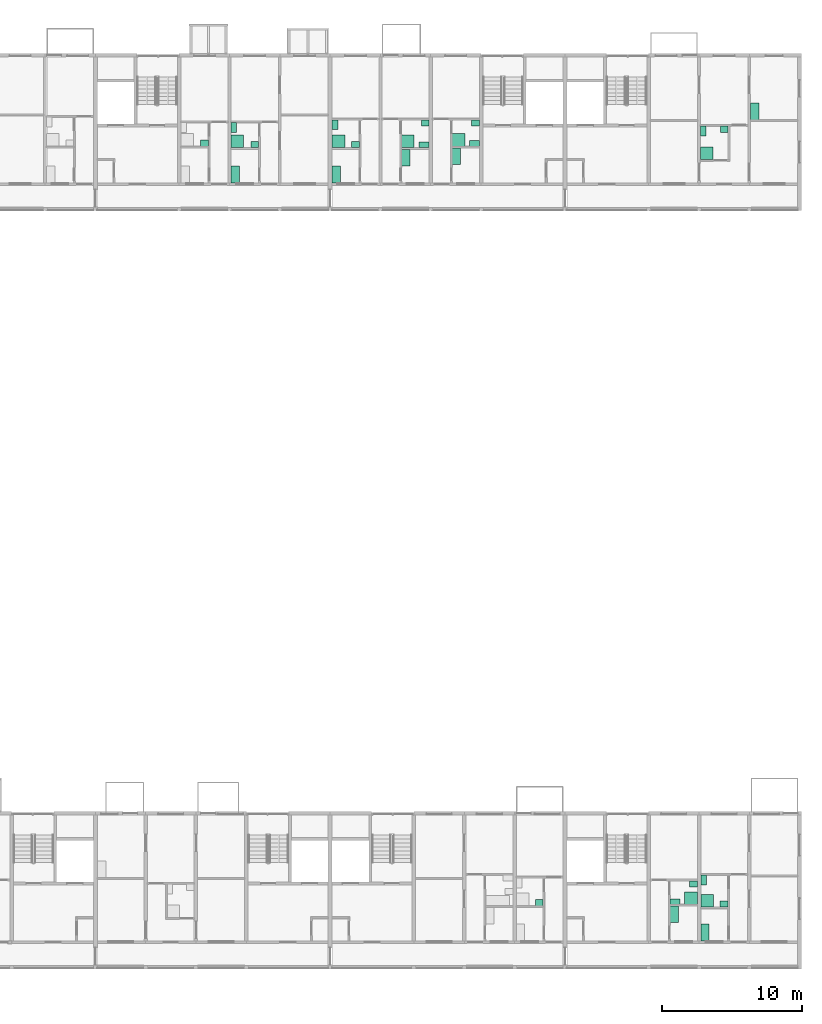
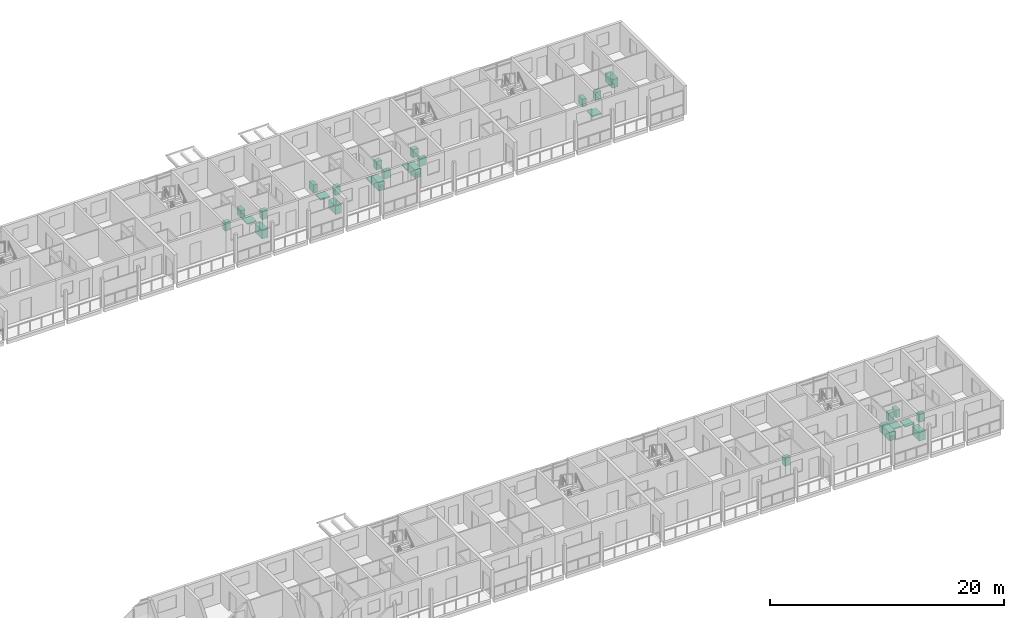
# One storey, part 100 of 100: 30 sanitary terminals.
"""IFC4 building model written with IfcOpenShell, lengths in metres."""

from ifc_helpers import new_model, si_unit, direction, frame, origin, origin_2d, place, context, subcontext, project, spatial, rectangle, extrude, element, save


model = new_model("IFC4")

# Units and contexts
model_context = context("Model", 3, precision=1e-05, world=origin(), true_north=direction((0.0, 1.0)))
body_context = subcontext(model_context, "Body", "Model", "MODEL_VIEW")
ifc_project = project(units=[si_unit("LENGTHUNIT", "METRE"), si_unit("AREAUNIT", "SQUARE_METRE"), si_unit("VOLUMEUNIT", "CUBIC_METRE"), si_unit("PLANEANGLEUNIT", "RADIAN"), si_unit("MASSUNIT", "GRAM", prefix="KILO")], contexts=[model_context])

# Site, building, storey
site_placement = place(None, origin())
site = spatial("IfcSite", under=ifc_project, at=site_placement, CompositionType="ELEMENT")
building_placement = place(site_placement, origin())
building = spatial("IfcBuilding", under=site, at=building_placement, Name="Ridgestep Commons", CompositionType="ELEMENT")
storey_placement = place(building_placement, frame((0.0, 0.0, 9.0)))
storey = spatial("IfcBuildingStorey", under=building, at=storey_placement, Name="L03", CompositionType="ELEMENT", Elevation=9.0)

# Sanitary terminals
sanitary_terminal_1_placement = place(storey_placement, frame((207.35009765625, 70.9599609375, 0.0), z_axis=(0.0, 0.0, 1.0), x_axis=(1.0, 0.0, 0.0)))
element("IfcSanitaryTerminal", 1, at=sanitary_terminal_1_placement, inside=storey, Name="Shower tray C4-03a", PredefinedType="SHOWER", context=body_context, shape_type="SweptSolid", body=[
    extrude(rectangle(XDim=0.89990234375, YDim=0.89990234375, at=origin_2d()), origin(), (0.0, 0.0, 1.0), 0.10009765625),
])
sanitary_terminal_2_placement = place(storey_placement, frame((207.10009765625, 71.949951171875, 0.0), z_axis=(0.0, 0.0, 1.0), x_axis=(1.0, 0.0, 0.0)))
element("IfcSanitaryTerminal", 2, at=sanitary_terminal_2_placement, inside=storey, Name="WC C4-03a", PredefinedType="TOILETPAN", context=body_context, shape_type="SweptSolid", body=[
    extrude(rectangle(XDim=0.39990234375, YDim=0.699951171875, at=origin_2d()), origin(), (0.0, 0.0, 1.0), 0.800048828125),
])
sanitary_terminal_3_placement = place(storey_placement, frame((208.614990234375, 70.735107421875, 0.0), z_axis=(0.0, 0.0, 1.0), x_axis=(1.0, 0.0, 0.0)))
element("IfcSanitaryTerminal", 3, at=sanitary_terminal_3_placement, inside=storey, Name="Basin C4-03a", PredefinedType="WASHHANDBASIN", context=body_context, shape_type="SweptSolid", body=[
    extrude(rectangle(XDim=0.550048828125, YDim=0.449951171875, at=origin_2d()), origin(), (0.0, 0.0, 1.0), 0.85009765625),
])
sanitary_terminal_4_placement = place(storey_placement, frame((207.199951171875, 68.60009765625, 0.0), z_axis=(0.0, 0.0, 1.0), x_axis=(1.0, 0.0, 0.0)))
element("IfcSanitaryTerminal", 4, at=sanitary_terminal_4_placement, inside=storey, Name="Kitchen sink C4-03a", PredefinedType="SINK", context=body_context, shape_type="SweptSolid", body=[
    extrude(rectangle(XDim=0.60009765625, YDim=1.199951171875, at=origin_2d()), origin(), (0.0, 0.0, 1.0), 0.89990234375),
])
sanitary_terminal_5_placement = place(storey_placement, frame((205.014892578125, 70.8349609375, 0.0), z_axis=(0.0, 0.0, 1.0), x_axis=(1.0, 0.0, 0.0)))
element("IfcSanitaryTerminal", 5, at=sanitary_terminal_5_placement, inside=storey, Name="Basin C4-03b", PredefinedType="WASHHANDBASIN", context=body_context, shape_type="SweptSolid", body=[
    extrude(rectangle(XDim=0.550048828125, YDim=0.449951171875, at=origin_2d()), origin(), (0.0, 0.0, 1.0), 0.85009765625),
])
sanitary_terminal_6_placement = place(storey_placement, frame((214.60009765625, 70.9599609375, 0.0), z_axis=(0.0, 0.0, 1.0), x_axis=(1.0, 0.0, 0.0)))
element("IfcSanitaryTerminal", 6, at=sanitary_terminal_6_placement, inside=storey, Name="Shower tray C5-03a", PredefinedType="SHOWER", context=body_context, shape_type="SweptSolid", body=[
    extrude(rectangle(XDim=0.89990234375, YDim=0.89990234375, at=origin_2d()), origin(), (0.0, 0.0, 1.0), 0.10009765625),
])
sanitary_terminal_7_placement = place(storey_placement, frame((214.35009765625, 72.14990234375, 0.0), z_axis=(0.0, 0.0, 1.0), x_axis=(1.0, 0.0, 0.0)))
element("IfcSanitaryTerminal", 7, at=sanitary_terminal_7_placement, inside=storey, Name="WC C5-03a", PredefinedType="TOILETPAN", context=body_context, shape_type="SweptSolid", body=[
    extrude(rectangle(XDim=0.39990234375, YDim=0.699951171875, at=origin_2d()), origin(), (0.0, 0.0, 1.0), 0.800048828125),
])
sanitary_terminal_8_placement = place(storey_placement, frame((215.81494140625, 70.735107421875, 0.0), z_axis=(0.0, 0.0, 1.0), x_axis=(1.0, 0.0, 0.0)))
element("IfcSanitaryTerminal", 8, at=sanitary_terminal_8_placement, inside=storey, Name="Basin C5-03a", PredefinedType="WASHHANDBASIN", context=body_context, shape_type="SweptSolid", body=[
    extrude(rectangle(XDim=0.550048828125, YDim=0.449951171875, at=origin_2d()), origin(), (0.0, 0.0, 1.0), 0.85009765625),
])
sanitary_terminal_9_placement = place(storey_placement, frame((214.449951171875, 68.60009765625, 0.0), z_axis=(0.0, 0.0, 1.0), x_axis=(1.0, 0.0, 0.0)))
element("IfcSanitaryTerminal", 9, at=sanitary_terminal_9_placement, inside=storey, Name="Kitchen sink C5-03a", PredefinedType="SINK", context=body_context, shape_type="SweptSolid", body=[
    extrude(rectangle(XDim=0.60009765625, YDim=1.199951171875, at=origin_2d()), origin(), (0.0, 0.0, 1.0), 0.89990234375),
])
sanitary_terminal_10_placement = place(storey_placement, frame((219.56005859375, 70.9599609375, 0.0), z_axis=(0.0, 0.0, 1.0), x_axis=(1.0, 0.0, 0.0)))
element("IfcSanitaryTerminal", 10, at=sanitary_terminal_10_placement, inside=storey, Name="Shower tray C5-03b", PredefinedType="SHOWER", context=body_context, shape_type="SweptSolid", body=[
    extrude(rectangle(XDim=0.89990234375, YDim=0.89990234375, at=origin_2d()), origin(), (0.0, 0.0, 1.0), 0.10009765625),
])
sanitary_terminal_11_placement = place(storey_placement, frame((220.72509765625, 70.7099609375, 0.0), z_axis=(0.0, 0.0, 1.0), x_axis=(1.0, 0.0, 0.0)))
element("IfcSanitaryTerminal", 11, at=sanitary_terminal_11_placement, inside=storey, Name="WC C5-03b", PredefinedType="TOILETPAN", context=body_context, shape_type="SweptSolid", body=[
    extrude(rectangle(XDim=0.699951171875, YDim=0.39990234375, at=origin_2d()), origin(), (0.0, 0.0, 1.0), 0.800048828125),
])
sanitary_terminal_12_placement = place(storey_placement, frame((220.800048828125, 72.27490234375, 0.0), z_axis=(0.0, 0.0, 1.0), x_axis=(1.0, 0.0, 0.0)))
element("IfcSanitaryTerminal", 12, at=sanitary_terminal_12_placement, inside=storey, Name="Basin C5-03b", PredefinedType="WASHHANDBASIN", context=body_context, shape_type="SweptSolid", body=[
    extrude(rectangle(XDim=0.550048828125, YDim=0.449951171875, at=origin_2d()), origin(), (0.0, 0.0, 1.0), 0.85009765625),
])
sanitary_terminal_13_placement = place(storey_placement, frame((219.409912109375, 69.800048828125, 0.0), z_axis=(0.0, 0.0, 1.0), x_axis=(1.0, 0.0, 0.0)))
element("IfcSanitaryTerminal", 13, at=sanitary_terminal_13_placement, inside=storey, Name="Kitchen sink C5-03b", PredefinedType="SINK", context=body_context, shape_type="SweptSolid", body=[
    extrude(rectangle(XDim=0.60009765625, YDim=1.199951171875, at=origin_2d()), origin(), (0.0, 0.0, 1.0), 0.89990234375),
])
sanitary_terminal_14_placement = place(storey_placement, frame((223.18505859375, 71.06005859375, 0.0), z_axis=(0.0, 0.0, 1.0), x_axis=(1.0, 0.0, 0.0)))
element("IfcSanitaryTerminal", 14, at=sanitary_terminal_14_placement, inside=storey, Name="Shower tray C5-03c", PredefinedType="SHOWER", context=body_context, shape_type="SweptSolid", body=[
    extrude(rectangle(XDim=0.89990234375, YDim=0.89990234375, at=origin_2d()), origin(), (0.0, 0.0, 1.0), 0.10009765625),
])
sanitary_terminal_15_placement = place(storey_placement, frame((224.324951171875, 70.81005859375, 0.0), z_axis=(0.0, 0.0, 1.0), x_axis=(1.0, 0.0, 0.0)))
element("IfcSanitaryTerminal", 15, at=sanitary_terminal_15_placement, inside=storey, Name="WC C5-03c", PredefinedType="TOILETPAN", context=body_context, shape_type="SweptSolid", body=[
    extrude(rectangle(XDim=0.699951171875, YDim=0.39990234375, at=origin_2d()), origin(), (0.0, 0.0, 1.0), 0.800048828125),
])
sanitary_terminal_16_placement = place(storey_placement, frame((224.39990234375, 72.27490234375, 0.0), z_axis=(0.0, 0.0, 1.0), x_axis=(1.0, 0.0, 0.0)))
element("IfcSanitaryTerminal", 16, at=sanitary_terminal_16_placement, inside=storey, Name="Basin C5-03c", PredefinedType="WASHHANDBASIN", context=body_context, shape_type="SweptSolid", body=[
    extrude(rectangle(XDim=0.550048828125, YDim=0.449951171875, at=origin_2d()), origin(), (0.0, 0.0, 1.0), 0.85009765625),
])
sanitary_terminal_17_placement = place(storey_placement, frame((223.034912109375, 69.89990234375, 0.0), z_axis=(0.0, 0.0, 1.0), x_axis=(1.0, 0.0, 0.0)))
element("IfcSanitaryTerminal", 17, at=sanitary_terminal_17_placement, inside=storey, Name="Kitchen sink C5-03c", PredefinedType="SINK", context=body_context, shape_type="SweptSolid", body=[
    extrude(rectangle(XDim=0.60009765625, YDim=1.199951171875, at=origin_2d()), origin(), (0.0, 0.0, 1.0), 0.89990234375),
])
sanitary_terminal_18_placement = place(storey_placement, frame((240.949951171875, 70.110107421875, 0.0), z_axis=(0.0, 0.0, 1.0), x_axis=(1.0, 0.0, 0.0)))
element("IfcSanitaryTerminal", 18, at=sanitary_terminal_18_placement, inside=storey, Name="Shower tray C6-03a", PredefinedType="SHOWER", context=body_context, shape_type="SweptSolid", body=[
    extrude(rectangle(XDim=0.89990234375, YDim=0.89990234375, at=origin_2d()), origin(), (0.0, 0.0, 1.0), 0.10009765625),
])
sanitary_terminal_19_placement = place(storey_placement, frame((240.699951171875, 71.7099609375, 0.0), z_axis=(0.0, 0.0, 1.0), x_axis=(1.0, 0.0, 0.0)))
element("IfcSanitaryTerminal", 19, at=sanitary_terminal_19_placement, inside=storey, Name="WC C6-03a", PredefinedType="TOILETPAN", context=body_context, shape_type="SweptSolid", body=[
    extrude(rectangle(XDim=0.39990234375, YDim=0.699951171875, at=origin_2d()), origin(), (0.0, 0.0, 1.0), 0.800048828125),
])
sanitary_terminal_20_placement = place(storey_placement, frame((242.215087890625, 71.8349609375, 0.0), z_axis=(0.0, 0.0, 1.0), x_axis=(1.0, 0.0, 0.0)))
element("IfcSanitaryTerminal", 20, at=sanitary_terminal_20_placement, inside=storey, Name="Basin C6-03a", PredefinedType="WASHHANDBASIN", context=body_context, shape_type="SweptSolid", body=[
    extrude(rectangle(XDim=0.550048828125, YDim=0.449951171875, at=origin_2d()), origin(), (0.0, 0.0, 1.0), 0.85009765625),
])
sanitary_terminal_21_placement = place(storey_placement, frame((244.39990234375, 73.110107421875, 0.0), z_axis=(0.0, 0.0, 1.0), x_axis=(1.0, 0.0, 0.0)))
element("IfcSanitaryTerminal", 21, at=sanitary_terminal_21_placement, inside=storey, Name="Kitchen sink C6-03a", PredefinedType="SINK", context=body_context, shape_type="SweptSolid", body=[
    extrude(rectangle(XDim=0.60009765625, YDim=1.199951171875, at=origin_2d()), origin(), (0.0, 0.0, 1.0), 0.89990234375),
])
sanitary_terminal_22_placement = place(storey_placement, frame((228.965087890625, 16.485107421875, 0.0), z_axis=(0.0, 0.0, 1.0), x_axis=(1.0, 0.0, 0.0)))
element("IfcSanitaryTerminal", 22, at=sanitary_terminal_22_placement, inside=storey, Name="Basin D5-03a", PredefinedType="WASHHANDBASIN", context=body_context, shape_type="SweptSolid", body=[
    extrude(rectangle(XDim=0.550048828125, YDim=0.449951171875, at=origin_2d()), origin(), (0.0, 0.0, 1.0), 0.85009765625),
])
sanitary_terminal_23_placement = place(storey_placement, frame((240.97509765625, 16.610107421875, 0.0), z_axis=(0.0, 0.0, 1.0), x_axis=(1.0, 0.0, 0.0)))
element("IfcSanitaryTerminal", 23, at=sanitary_terminal_23_placement, inside=storey, Name="Shower tray D6-03a", PredefinedType="SHOWER", context=body_context, shape_type="SweptSolid", body=[
    extrude(rectangle(XDim=0.89990234375, YDim=0.89990234375, at=origin_2d()), origin(), (0.0, 0.0, 1.0), 0.10009765625),
])
sanitary_terminal_24_placement = place(storey_placement, frame((240.72509765625, 18.10009765625, 0.0), z_axis=(0.0, 0.0, 1.0), x_axis=(1.0, 0.0, 0.0)))
element("IfcSanitaryTerminal", 24, at=sanitary_terminal_24_placement, inside=storey, Name="WC D6-03a", PredefinedType="TOILETPAN", context=body_context, shape_type="SweptSolid", body=[
    extrude(rectangle(XDim=0.39990234375, YDim=0.699951171875, at=origin_2d()), origin(), (0.0, 0.0, 1.0), 0.800048828125),
])
sanitary_terminal_25_placement = place(storey_placement, frame((242.18994140625, 16.385009765625, 0.0), z_axis=(0.0, 0.0, 1.0), x_axis=(1.0, 0.0, 0.0)))
element("IfcSanitaryTerminal", 25, at=sanitary_terminal_25_placement, inside=storey, Name="Basin D6-03a", PredefinedType="WASHHANDBASIN", context=body_context, shape_type="SweptSolid", body=[
    extrude(rectangle(XDim=0.550048828125, YDim=0.449951171875, at=origin_2d()), origin(), (0.0, 0.0, 1.0), 0.85009765625),
])
sanitary_terminal_26_placement = place(storey_placement, frame((240.824951171875, 14.35009765625, 0.0), z_axis=(0.0, 0.0, 1.0), x_axis=(1.0, 0.0, 0.0)))
element("IfcSanitaryTerminal", 26, at=sanitary_terminal_26_placement, inside=storey, Name="Kitchen sink D6-03a", PredefinedType="SINK", context=body_context, shape_type="SweptSolid", body=[
    extrude(rectangle(XDim=0.60009765625, YDim=1.199951171875, at=origin_2d()), origin(), (0.0, 0.0, 1.0), 0.89990234375),
])
sanitary_terminal_27_placement = place(storey_placement, frame((239.824951171875, 16.81005859375, 0.0), z_axis=(0.0, 0.0, 1.0), x_axis=(1.0, 0.0, 0.0)))
element("IfcSanitaryTerminal", 27, at=sanitary_terminal_27_placement, inside=storey, Name="Shower tray D6-03b", PredefinedType="SHOWER", context=body_context, shape_type="SweptSolid", body=[
    extrude(rectangle(XDim=0.89990234375, YDim=0.89990234375, at=origin_2d()), origin(), (0.0, 0.0, 1.0), 0.10009765625),
])
sanitary_terminal_28_placement = place(storey_placement, frame((238.68505859375, 16.56005859375, 0.0), z_axis=(0.0, 0.0, 1.0), x_axis=(1.0, 0.0, 0.0)))
element("IfcSanitaryTerminal", 28, at=sanitary_terminal_28_placement, inside=storey, Name="WC D6-03b", PredefinedType="TOILETPAN", context=body_context, shape_type="SweptSolid", body=[
    extrude(rectangle(XDim=0.699951171875, YDim=0.39990234375, at=origin_2d()), origin(), (0.0, 0.0, 1.0), 0.800048828125),
])
sanitary_terminal_29_placement = place(storey_placement, frame((240.0, 17.824951171875, 0.0), z_axis=(0.0, 0.0, 1.0), x_axis=(1.0, 0.0, 0.0)))
element("IfcSanitaryTerminal", 29, at=sanitary_terminal_29_placement, inside=storey, Name="Basin D6-03b", PredefinedType="WASHHANDBASIN", context=body_context, shape_type="SweptSolid", body=[
    extrude(rectangle(XDim=0.550048828125, YDim=0.449951171875, at=origin_2d()), origin(), (0.0, 0.0, 1.0), 0.85009765625),
])
sanitary_terminal_30_placement = place(storey_placement, frame((238.635009765625, 15.64990234375, 0.0), z_axis=(0.0, 0.0, 1.0), x_axis=(1.0, 0.0, 0.0)))
element("IfcSanitaryTerminal", 30, at=sanitary_terminal_30_placement, inside=storey, Name="Kitchen sink D6-03b", PredefinedType="SINK", context=body_context, shape_type="SweptSolid", body=[
    extrude(rectangle(XDim=0.60009765625, YDim=1.199951171875, at=origin_2d()), origin(), (0.0, 0.0, 1.0), 0.89990234375),
])

save(model, "model.ifc")
